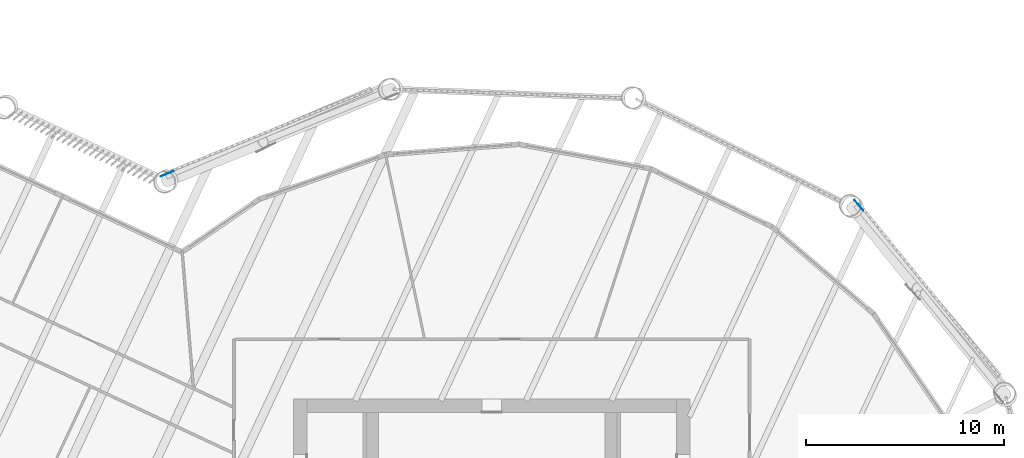
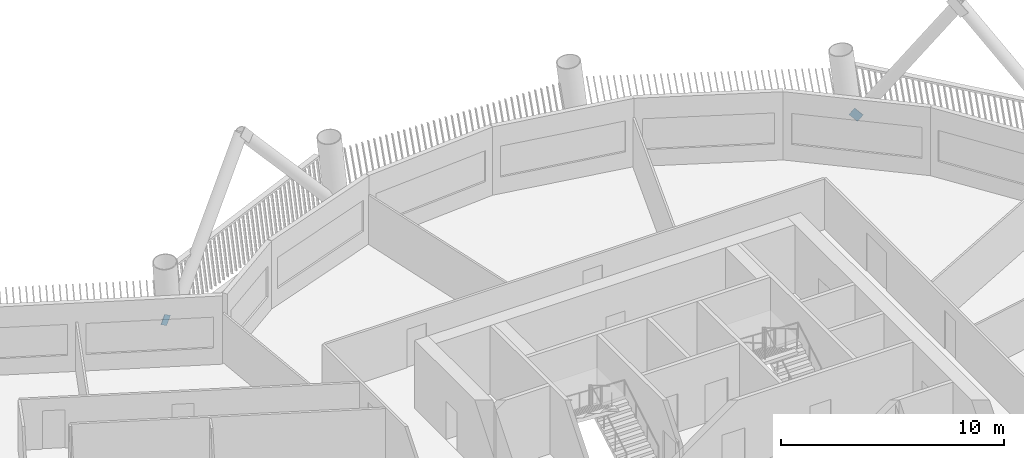
# One storey, part 16 of 24: 2 discrete accessories.
"""IFC4 building model written with IfcOpenShell, lengths in metres."""

import ifcopenshell
import ifcopenshell.guid

model = None  # the IFC model being written
_history = None  # IfcOwnerHistory: only IFC2X3 demands one
_inside = {}  # id of a spatial element -> (the spatial element, [elements in it])
_under = {}  # id of a project, library or spatial element -> (it, [spatial elements below it])
_declared = {}  # id of a project -> (the project, [libraries it declares])
_typed = {}  # id of a type object -> (the type object, [elements of that type])
_made_of = {}  # id of a material, layer set ... -> (it, [elements and type objects made of it])


def new_model(schema):
    """Start an empty IFC model of exactly this schema.

    Asked for "IFC4X3", IfcOpenShell would pick the latest addendum, in which some entities
    have other attributes; the version numbers below select the first issue.
    IFC2X3 requires an IfcOwnerHistory on every rooted entity: one is made here for all.
    """
    global model, _history
    if schema == "IFC4X3":
        model = ifcopenshell.file(schema_version=(4, 3, 0, 0))
    else:
        model = ifcopenshell.file(schema=schema)
    _inside.clear()
    _under.clear()
    _declared.clear()
    _typed.clear()
    _made_of.clear()
    _history = None
    if model.schema == "IFC2X3":
        org = make("IfcOrganization", Name="unknown")
        user = make(
            "IfcPersonAndOrganization",
            ThePerson=make("IfcPerson", FamilyName="unknown"),
            TheOrganization=org,
        )
        app = make(
            "IfcApplication",
            ApplicationDeveloper=org,
            Version="unknown",
            ApplicationFullName="unknown",
            ApplicationIdentifier="unknown",
        )
        _history = make(
            "IfcOwnerHistory",
            OwningUser=user,
            OwningApplication=app,
            ChangeAction="ADDED",
            CreationDate=0,
        )
    return model


def make(cls, **values):
    """One entity of the class cls with the attributes given. An attribute that is None is left unset."""
    return model.create_entity(
        cls, **{name: value for name, value in values.items() if value is not None}
    )


def rooted(cls, **values):
    """An entity with a GlobalId (a new one), such as an element, a storey or a relation."""
    return make(cls, GlobalId=ifcopenshell.guid.new(), OwnerHistory=_history, **values)


def si_unit(unit_type, name, prefix=None):
    """IfcSIUnit, for example si_unit("LENGTHUNIT", "METRE", prefix="MILLI")."""
    return make("IfcSIUnit", UnitType=unit_type, Prefix=prefix, Name=name)


def assignment(units):
    """IfcUnitAssignment: the units of a project."""
    return None if units is None else make("IfcUnitAssignment", Units=units)


def point(xyz):
    """IfcCartesianPoint."""
    return None if xyz is None else make("IfcCartesianPoint", Coordinates=xyz)


def direction(xyz):
    """IfcDirection."""
    return None if xyz is None else make("IfcDirection", DirectionRatios=xyz)


def frame(location, z_axis=None, x_axis=None):
    """IfcAxis2Placement3D, a coordinate frame: its origin and axes. An axis left out is left unset."""
    return make(
        "IfcAxis2Placement3D",
        Location=point(location),
        Axis=direction(z_axis),
        RefDirection=direction(x_axis),
    )


def frame_2d(location, x_axis=None):
    """IfcAxis2Placement2D, a coordinate frame in the plane: its origin and x axis."""
    return make(
        "IfcAxis2Placement2D", Location=point(location), RefDirection=direction(x_axis)
    )


def origin():
    """The frame at (0, 0, 0) with its axes left unset."""
    return frame((0.0, 0.0, 0.0))


def origin_2d():
    """The frame at (0, 0) in the plane with its x axis left unset."""
    return frame_2d((0.0, 0.0))


def place(relative_to, where):
    """IfcLocalPlacement: puts the frame where relative to a parent placement (None: the world)."""
    return make(
        "IfcLocalPlacement", PlacementRelTo=relative_to, RelativePlacement=where
    )


def context(
    kind, dimensions, precision=None, world=None, true_north=None, identifier=None
):
    """IfcGeometricRepresentationContext, for example the 3D "Model" context."""
    return make(
        "IfcGeometricRepresentationContext",
        ContextIdentifier=identifier,
        ContextType=kind,
        CoordinateSpaceDimension=dimensions,
        Precision=precision,
        WorldCoordinateSystem=world,
        TrueNorth=true_north,
    )


def subcontext(parent, identifier, kind, view, scale=None):
    """IfcGeometricRepresentationSubContext, for example "Body" below "Model"."""
    return make(
        "IfcGeometricRepresentationSubContext",
        ContextIdentifier=identifier,
        ContextType=kind,
        ParentContext=parent,
        TargetScale=scale,
        TargetView=view,
    )


def project(units=None, contexts=None):
    """IfcProject with its units and contexts."""
    return rooted(
        "IfcProject",
        Name="project",
        RepresentationContexts=contexts,
        UnitsInContext=assignment(units),
    )


def spatial(cls, under=None, at=None, **own):
    """A site, building, storey or space (cls), placed at a placement, below another one or the project."""
    s = rooted(cls, ObjectPlacement=at, **own)
    if under is not None:
        _under.setdefault(under.id(), (under, []))[1].append(s)
    return s


def profile(cls, at=None, kind="AREA", **sizes):
    """A parametric profile (cls). Its sizes go by their IFC names, for example OverallWidth=200.0."""
    return make(cls, ProfileType=kind, Position=at, **sizes)


def rectangle(**sizes):
    """IfcRectangleProfileDef."""
    return profile("IfcRectangleProfileDef", **sizes)


def extrude(swept, where, along, depth):
    """IfcExtrudedAreaSolid: the profile swept, set in the frame where, extruded along a direction by depth."""
    return make(
        "IfcExtrudedAreaSolid",
        SweptArea=swept,
        Position=where,
        ExtrudedDirection=direction(along),
        Depth=depth,
    )


def shape(context_of_items, identifier, shape_type, items):
    """IfcShapeRepresentation: the items that make up one representation, for example the "Body"."""
    return make(
        "IfcShapeRepresentation",
        ContextOfItems=context_of_items,
        RepresentationIdentifier=identifier,
        RepresentationType=shape_type,
        Items=items,
    )


def material(Name=None, Category=None):
    """IfcMaterial."""
    return make("IfcMaterial", Name=Name, Category=Category)


def material_profile(
    of_material, cross_section, Name=None, Category=None, Priority=None
):
    """IfcMaterialProfile: a cross section and its material."""
    return make(
        "IfcMaterialProfile",
        Name=Name,
        Material=of_material,
        Profile=cross_section,
        Priority=Priority,
        Category=Category,
    )


def profile_set(profiles, Name=None, composite=None):
    """IfcMaterialProfileSet."""
    return make(
        "IfcMaterialProfileSet",
        Name=Name,
        MaterialProfiles=profiles,
        CompositeProfile=composite,
    )


def made_of(thing, what):
    """Note that an element or type object is made of a material, layer set ...; save() writes the relation."""
    if what is not None:
        _made_of.setdefault(what.id(), (what, []))[1].append(thing)
    return thing


def type_object(cls, material=None, **own):
    """A type object (cls), such as IfcWallType, which elements share."""
    return made_of(rooted(cls, **own), material)


def element(
    cls,
    number,
    at=None,
    inside=None,
    cuts=None,
    type_object=None,
    material=None,
    context=None,
    identifier="Body",
    shape_type=None,
    held_by="IfcProductDefinitionShape",
    body=None,
    shapes=None,
    **own,
):
    """One element of the class cls, such as IfcWall. Its Tag is "e" and its number.

    at: its placement. inside: the storey or other place that contains it. cuts: it is an
    opening in that element (IfcRelVoidsElement). A single representation is given by context,
    identifier, shape_type and body (its items); several are given by shapes. held_by: the class
    of the entity that holds the representations. save() writes the other relations.
    """
    e = rooted(cls, Tag="e%d" % number, ObjectPlacement=at, **own)
    if body is not None:
        shapes = [shape(context, identifier, shape_type, body)]
    if shapes is not None:
        e.Representation = make(held_by, Representations=shapes)
    if inside is not None:
        _inside.setdefault(inside.id(), (inside, []))[1].append(e)
    if cuts is not None:
        rooted(
            "IfcRelVoidsElement", RelatingBuildingElement=cuts, RelatedOpeningElement=e
        )
    if type_object is not None:
        _typed.setdefault(type_object.id(), (type_object, []))[1].append(e)
    return made_of(e, material)


def aggregate(whole, parts):
    """IfcRelAggregates: a whole, such as a stair, and the parts it consists of."""
    return rooted("IfcRelAggregates", RelatingObject=whole, RelatedObjects=parts)


def save(model, path):
    """Write the relations noted so far, then the file.

    IfcRelAggregates (storeys below a building ...), IfcRelContainedInSpatialStructure (elements
    in a storey), IfcRelDefinesByType, IfcRelAssociatesMaterial and IfcRelDeclares: one each for
    every whole, place, type object, material and project.
    """
    for whole, parts in _under.values():
        aggregate(whole, parts)
    for where, things in _inside.values():
        rooted(
            "IfcRelContainedInSpatialStructure",
            RelatedElements=things,
            RelatingStructure=where,
        )
    for kind, things in _typed.values():
        rooted("IfcRelDefinesByType", RelatedObjects=things, RelatingType=kind)
    for what, things in _made_of.values():
        rooted("IfcRelAssociatesMaterial", RelatedObjects=things, RelatingMaterial=what)
    for by, libraries in _declared.values():
        rooted("IfcRelDeclares", RelatingContext=by, RelatedDefinitions=libraries)
    model.write(path)


model = new_model("IFC4")

# Units and contexts
model_context = context("Model", 3, precision=1e-05, world=origin(), true_north=direction((0.0, 1.0)))
body_context = subcontext(model_context, "Body", "Model", "MODEL_VIEW")
ifc_project = project(units=[si_unit("LENGTHUNIT", "METRE"), si_unit("AREAUNIT", "SQUARE_METRE"), si_unit("VOLUMEUNIT", "CUBIC_METRE"), si_unit("PLANEANGLEUNIT", "RADIAN"), si_unit("MASSUNIT", "GRAM", prefix="KILO")], contexts=[model_context])

# Site, building, storey
site_placement = place(None, origin())
site = spatial("IfcSite", under=ifc_project, at=site_placement, CompositionType="ELEMENT")
building_placement = place(site_placement, origin())
building = spatial("IfcBuilding", under=site, at=building_placement, Name="Tarsis Ring Headquarters", CompositionType="ELEMENT")
storey_placement = place(building_placement, frame((0.0, 0.0, 178.800048828125)))
storey = spatial("IfcBuildingStorey", under=building, at=storey_placement, Name="L41", CompositionType="ELEMENT", Elevation=178.800048828125)

# Discrete accessories
ifc_material = material(Name="Structural steel S355", Category="steel")
ifc_material_profile = material_profile(ifc_material, rectangle(XDim=0.02490234375, YDim=0.5, at=origin_2d()), Name="PL 25x500")
ifc_profile_set = profile_set([ifc_material_profile], Name="Structural steel S355")
discrete_accessory_type = type_object("IfcDiscreteAccessoryType", Name="Gusset plate Exo brace 25", PredefinedType="BRACKET", material=ifc_profile_set)
for number, where, z_axis, x_axis, name in (
    (1, (18.416015625, 22.8642578125, 0.0), (0.350099534335, -0.433107792127, 0.830570861791), (0.777693866481, 0.628643181811, 0.0), "Gusset plate GP5"),
    (2, (-16.49267578125, 24.288330078125, 0.0), (0.516552918244, 0.208476461333, 0.830488198425), (-0.374260152598, 0.927323750465, 0.0), "Gusset plate GP5"),
):
    element("IfcDiscreteAccessory", number, at=place(storey_placement, frame(where, z_axis=z_axis, x_axis=x_axis)), inside=storey, type_object=discrete_accessory_type, Name=name, PredefinedType="BRACKET", context=body_context, shape_type="SweptSolid", body=[
        extrude(rectangle(XDim=0.02490234375, YDim=0.5, at=origin_2d()), origin(), (0.0, 0.0, 1.0), 0.5),
    ])

save(model, "model.ifc")
